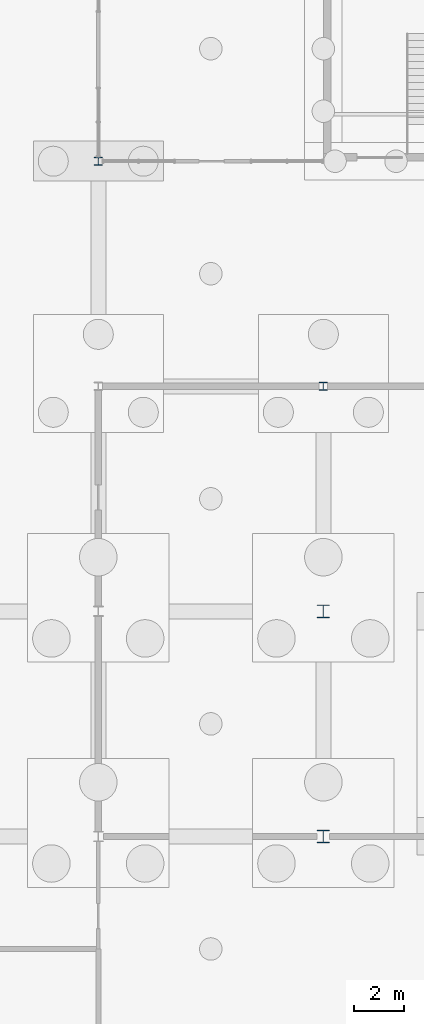
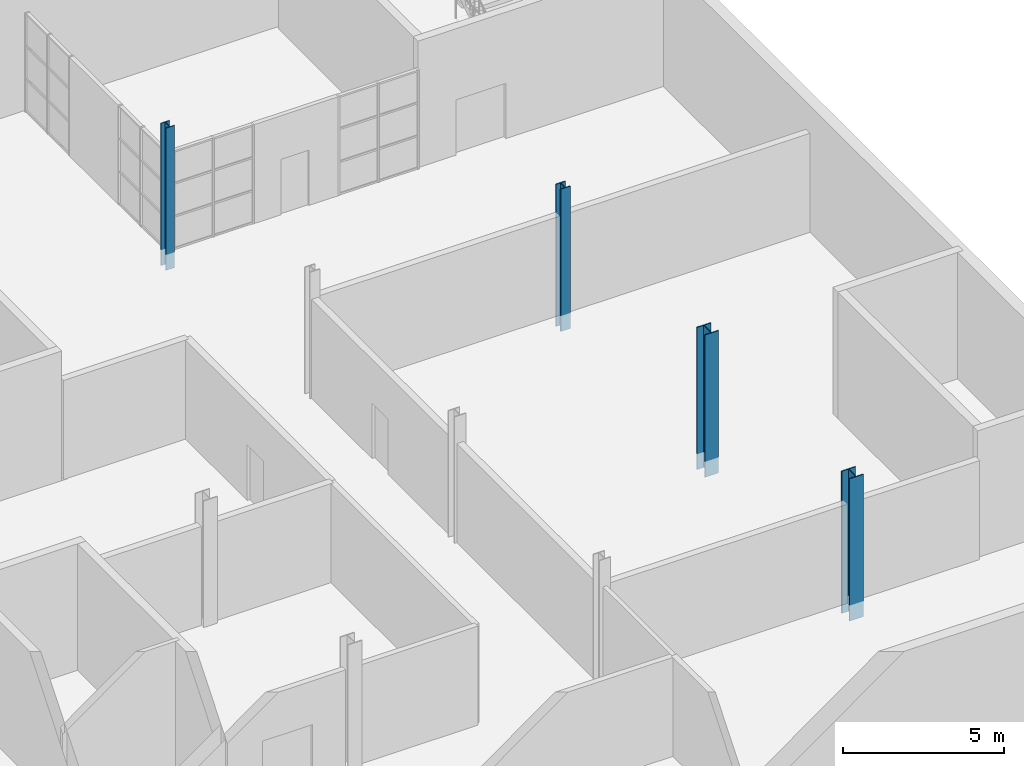
# One storey, part 6 of 17: 4 columns.
"""IFC4 building model written with IfcOpenShell, lengths in metres."""

from ifc_helpers import new_model, si_unit, direction, frame, origin, origin_2d, place, context, subcontext, project, spatial, i_section, extrude, material, material_profile, profile_set, type_object, element, save


model = new_model("IFC4")

# Units and contexts
model_context = context("Model", 3, precision=1e-05, world=origin(), true_north=direction((0.0, 1.0)))
body_context = subcontext(model_context, "Body", "Model", "MODEL_VIEW")
ifc_project = project(units=[si_unit("LENGTHUNIT", "METRE"), si_unit("AREAUNIT", "SQUARE_METRE"), si_unit("VOLUMEUNIT", "CUBIC_METRE"), si_unit("PLANEANGLEUNIT", "RADIAN"), si_unit("MASSUNIT", "GRAM", prefix="KILO")], contexts=[model_context])

# Site, building, storey
site_placement = place(None, origin())
site = spatial("IfcSite", under=ifc_project, at=site_placement, CompositionType="ELEMENT")
building_placement = place(site_placement, origin())
building = spatial("IfcBuilding", under=site, at=building_placement, Name="Halyard Row Museum", CompositionType="ELEMENT")
storey_placement = place(building_placement, frame((0.0, 0.0, -9.60009765625)))
storey = spatial("IfcBuildingStorey", under=building, at=storey_placement, Name="B2", CompositionType="ELEMENT", Elevation=-9.60009765625)

# Columns
ifc_material_1 = material(Name="Steel Grade 300", Category="steel")
ifc_material_profile_1 = material_profile(ifc_material_1, i_section(OverallWidth=0.31103515625, OverallDepth=0.3271484375, WebThickness=0.015625, FlangeThickness=0.02490234375, FilletRadius=0.0166015625, at=origin_2d()), Name="310UC158")
ifc_profile_set_1 = profile_set([ifc_material_profile_1], Name="Steel Grade 300")
column_type_1 = type_object("IfcColumnType", Name="Column 310UC158 interior (on cap)", PredefinedType="COLUMN", material=ifc_profile_set_1)
column_1_placement = place(storey_placement, frame((90.0, 54.0, -0.599853515625), z_axis=(0.0, 0.0, 1.0), x_axis=(1.0, 0.0, 0.0)))
element("IfcColumn", 1, at=column_1_placement, inside=storey, type_object=column_type_1, Name="Column 11G B2", PredefinedType="COLUMN", context=body_context, shape_type="SweptSolid", body=[
    extrude(i_section(OverallWidth=0.31103515625, OverallDepth=0.3271484375, WebThickness=0.015625, FlangeThickness=0.02490234375, FilletRadius=0.0166015625, at=origin_2d()), origin(), (0.0, 0.0, 1.0), 5.39990234375),
])
ifc_material_2 = material(Name="Steel Grade 300", Category="steel")
ifc_material_profile_2 = material_profile(ifc_material_2, i_section(OverallWidth=0.35009765625, OverallDepth=0.339111328125, WebThickness=0.02490234375, FlangeThickness=0.031982421875, at=origin_2d()), Name="350WC230")
ifc_profile_set_2 = profile_set([ifc_material_profile_2], Name="Steel Grade 300")
column_type_2 = type_object("IfcColumnType", Name="Column 350WC230 interior (on cap)", PredefinedType="COLUMN", material=ifc_profile_set_2)
column_2_placement = place(storey_placement, frame((99.0, 45.0, -0.599853515625), z_axis=(0.0, 0.0, 1.0), x_axis=(1.0, 0.0, 0.0)))
element("IfcColumn", 2, at=column_2_placement, inside=storey, type_object=column_type_2, Name="Column 12F B2", PredefinedType="COLUMN", context=body_context, shape_type="SweptSolid", body=[
    extrude(i_section(OverallWidth=0.35009765625, OverallDepth=0.339111328125, WebThickness=0.02490234375, FlangeThickness=0.031982421875, at=origin_2d()), origin(), (0.0, 0.0, 1.0), 5.39990234375),
])
ifc_material_3 = material(Name="Steel Grade 300", Category="steel")
ifc_material_profile_3 = material_profile(ifc_material_3, i_section(OverallWidth=0.5, OverallDepth=0.513916015625, WebThickness=0.02490234375, FlangeThickness=0.031982421875, at=origin_2d()), Name="500WC340")
ifc_profile_set_3 = profile_set([ifc_material_profile_3], Name="Steel Grade 300")
column_type_3 = type_object("IfcColumnType", Name="Column 500WC340 interior (on cap)", PredefinedType="COLUMN", material=ifc_profile_set_3)
for number, where, z_axis, x_axis, name in (
    (3, (99.0, 27.0, -0.599853515625), (0.0, 0.0, 1.0), (1.0, 0.0, 0.0), "Column 12D B2"),
    (4, (99.0, 36.0, -0.599853515625), (0.0, 0.0, 1.0), (1.0, 0.0, 0.0), "Column 12E B2"),
):
    element("IfcColumn", number, at=place(storey_placement, frame(where, z_axis=z_axis, x_axis=x_axis)), inside=storey, type_object=column_type_3, Name=name, PredefinedType="COLUMN", context=body_context, shape_type="SweptSolid", body=[
        extrude(i_section(OverallWidth=0.5, OverallDepth=0.513916015625, WebThickness=0.02490234375, FlangeThickness=0.031982421875, at=origin_2d()), origin(), (0.0, 0.0, 1.0), 5.39990234375),
    ])

save(model, "model.ifc")
